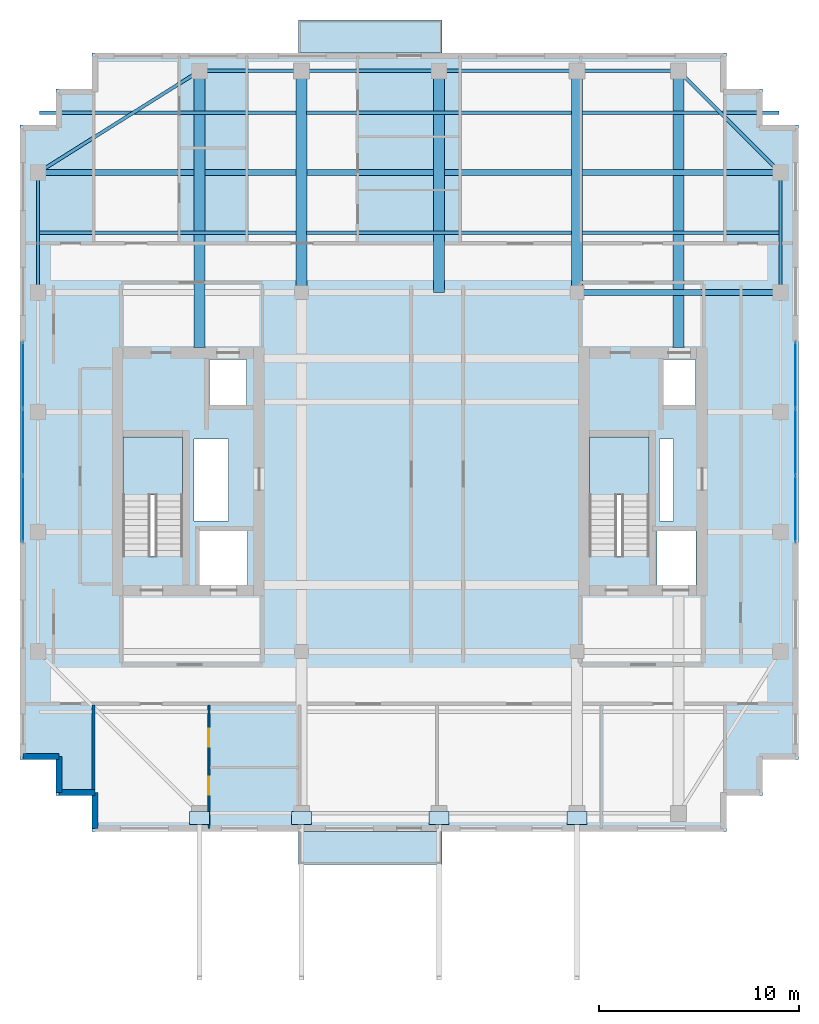
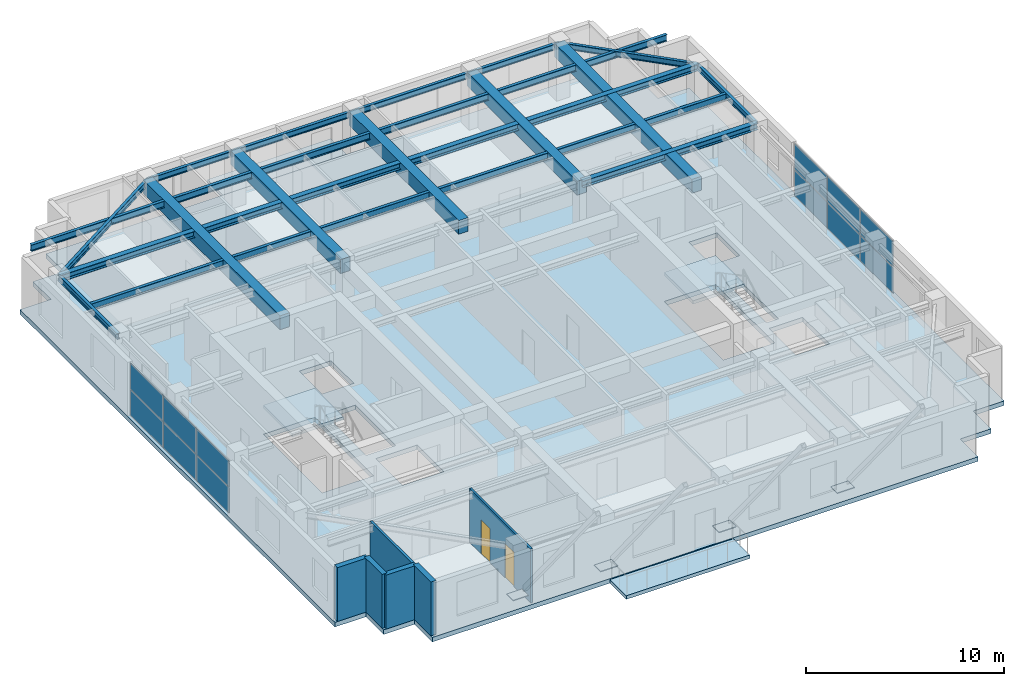
# One storey, part 7 of 14: 23 beams, 16 plates, 6 walls, 5 slabs, 2 doors, 2 openings, 4 elements without a shape of their own.
"""IFC4 building model written with IfcOpenShell, lengths in metres."""

import ifcopenshell
import ifcopenshell.guid

model = None  # the IFC model being written
_history = None  # IfcOwnerHistory: only IFC2X3 demands one
_inside = {}  # id of a spatial element -> (the spatial element, [elements in it])
_under = {}  # id of a project, library or spatial element -> (it, [spatial elements below it])
_declared = {}  # id of a project -> (the project, [libraries it declares])
_typed = {}  # id of a type object -> (the type object, [elements of that type])
_made_of = {}  # id of a material, layer set ... -> (it, [elements and type objects made of it])


def new_model(schema):
    """Start an empty IFC model of exactly this schema.

    Asked for "IFC4X3", IfcOpenShell would pick the latest addendum, in which some entities
    have other attributes; the version numbers below select the first issue.
    IFC2X3 requires an IfcOwnerHistory on every rooted entity: one is made here for all.
    """
    global model, _history
    if schema == "IFC4X3":
        model = ifcopenshell.file(schema_version=(4, 3, 0, 0))
    else:
        model = ifcopenshell.file(schema=schema)
    _inside.clear()
    _under.clear()
    _declared.clear()
    _typed.clear()
    _made_of.clear()
    _history = None
    if model.schema == "IFC2X3":
        org = make("IfcOrganization", Name="unknown")
        user = make(
            "IfcPersonAndOrganization",
            ThePerson=make("IfcPerson", FamilyName="unknown"),
            TheOrganization=org,
        )
        app = make(
            "IfcApplication",
            ApplicationDeveloper=org,
            Version="unknown",
            ApplicationFullName="unknown",
            ApplicationIdentifier="unknown",
        )
        _history = make(
            "IfcOwnerHistory",
            OwningUser=user,
            OwningApplication=app,
            ChangeAction="ADDED",
            CreationDate=0,
        )
    return model


def make(cls, **values):
    """One entity of the class cls with the attributes given. An attribute that is None is left unset."""
    return model.create_entity(
        cls, **{name: value for name, value in values.items() if value is not None}
    )


def rooted(cls, **values):
    """An entity with a GlobalId (a new one), such as an element, a storey or a relation."""
    return make(cls, GlobalId=ifcopenshell.guid.new(), OwnerHistory=_history, **values)


def si_unit(unit_type, name, prefix=None):
    """IfcSIUnit, for example si_unit("LENGTHUNIT", "METRE", prefix="MILLI")."""
    return make("IfcSIUnit", UnitType=unit_type, Prefix=prefix, Name=name)


def assignment(units):
    """IfcUnitAssignment: the units of a project."""
    return None if units is None else make("IfcUnitAssignment", Units=units)


def point(xyz):
    """IfcCartesianPoint."""
    return None if xyz is None else make("IfcCartesianPoint", Coordinates=xyz)


def direction(xyz):
    """IfcDirection."""
    return None if xyz is None else make("IfcDirection", DirectionRatios=xyz)


def frame(location, z_axis=None, x_axis=None):
    """IfcAxis2Placement3D, a coordinate frame: its origin and axes. An axis left out is left unset."""
    return make(
        "IfcAxis2Placement3D",
        Location=point(location),
        Axis=direction(z_axis),
        RefDirection=direction(x_axis),
    )


def frame_2d(location, x_axis=None):
    """IfcAxis2Placement2D, a coordinate frame in the plane: its origin and x axis."""
    return make(
        "IfcAxis2Placement2D", Location=point(location), RefDirection=direction(x_axis)
    )


def origin():
    """The frame at (0, 0, 0) with its axes left unset."""
    return frame((0.0, 0.0, 0.0))


def origin_2d():
    """The frame at (0, 0) in the plane with its x axis left unset."""
    return frame_2d((0.0, 0.0))


def place(relative_to, where):
    """IfcLocalPlacement: puts the frame where relative to a parent placement (None: the world)."""
    return make(
        "IfcLocalPlacement", PlacementRelTo=relative_to, RelativePlacement=where
    )


def context(
    kind, dimensions, precision=None, world=None, true_north=None, identifier=None
):
    """IfcGeometricRepresentationContext, for example the 3D "Model" context."""
    return make(
        "IfcGeometricRepresentationContext",
        ContextIdentifier=identifier,
        ContextType=kind,
        CoordinateSpaceDimension=dimensions,
        Precision=precision,
        WorldCoordinateSystem=world,
        TrueNorth=true_north,
    )


def subcontext(parent, identifier, kind, view, scale=None):
    """IfcGeometricRepresentationSubContext, for example "Body" below "Model"."""
    return make(
        "IfcGeometricRepresentationSubContext",
        ContextIdentifier=identifier,
        ContextType=kind,
        ParentContext=parent,
        TargetScale=scale,
        TargetView=view,
    )


def project(units=None, contexts=None):
    """IfcProject with its units and contexts."""
    return rooted(
        "IfcProject",
        Name="project",
        RepresentationContexts=contexts,
        UnitsInContext=assignment(units),
    )


def spatial(cls, under=None, at=None, **own):
    """A site, building, storey or space (cls), placed at a placement, below another one or the project."""
    s = rooted(cls, ObjectPlacement=at, **own)
    if under is not None:
        _under.setdefault(under.id(), (under, []))[1].append(s)
    return s


def polyline(points):
    """IfcPolyline through the points."""
    return make("IfcPolyline", Points=[point(p) for p in points])


def profile(cls, at=None, kind="AREA", **sizes):
    """A parametric profile (cls). Its sizes go by their IFC names, for example OverallWidth=200.0."""
    return make(cls, ProfileType=kind, Position=at, **sizes)


def rectangle(**sizes):
    """IfcRectangleProfileDef."""
    return profile("IfcRectangleProfileDef", **sizes)


def i_section(**sizes):
    """IfcIShapeProfileDef."""
    return profile("IfcIShapeProfileDef", **sizes)


def outline(outer, holes=None, kind="AREA"):
    """IfcArbitraryClosedProfileDef: a profile drawn as a closed curve; with holes, ...WithVoids."""
    if holes is None:
        return make("IfcArbitraryClosedProfileDef", ProfileType=kind, OuterCurve=outer)
    return make(
        "IfcArbitraryProfileDefWithVoids",
        ProfileType=kind,
        OuterCurve=outer,
        InnerCurves=holes,
    )


def extrude(swept, where, along, depth):
    """IfcExtrudedAreaSolid: the profile swept, set in the frame where, extruded along a direction by depth."""
    return make(
        "IfcExtrudedAreaSolid",
        SweptArea=swept,
        Position=where,
        ExtrudedDirection=direction(along),
        Depth=depth,
    )


def shape(context_of_items, identifier, shape_type, items):
    """IfcShapeRepresentation: the items that make up one representation, for example the "Body"."""
    return make(
        "IfcShapeRepresentation",
        ContextOfItems=context_of_items,
        RepresentationIdentifier=identifier,
        RepresentationType=shape_type,
        Items=items,
    )


def source(mapping_origin, context_of_items, identifier, shape_type, items):
    """IfcRepresentationMap: a shape defined once, which mapped items show again and again."""
    return make(
        "IfcRepresentationMap",
        MappingOrigin=mapping_origin,
        MappedRepresentation=shape(context_of_items, identifier, shape_type, items),
    )


def transform(
    local_origin,
    x_axis=None,
    y_axis=None,
    z_axis=None,
    scale=None,
    scale2=None,
    scale3=None,
    uniform=True,
):
    """IfcCartesianTransformationOperator3D, or its non-uniform kind. x_axis, y_axis, z_axis: its Axis1, 2, 3."""
    if uniform:
        return make(
            "IfcCartesianTransformationOperator3D",
            Axis1=direction(x_axis),
            Axis2=direction(y_axis),
            LocalOrigin=point(local_origin),
            Scale=scale,
            Axis3=direction(z_axis),
        )
    return make(
        "IfcCartesianTransformationOperator3DnonUniform",
        Axis1=direction(x_axis),
        Axis2=direction(y_axis),
        LocalOrigin=point(local_origin),
        Scale=scale,
        Axis3=direction(z_axis),
        Scale2=scale2,
        Scale3=scale3,
    )


def mapped(mapping_source, mapping_target):
    """IfcMappedItem: shows the shape of a source again, moved by a transform."""
    return make(
        "IfcMappedItem", MappingSource=mapping_source, MappingTarget=mapping_target
    )


def material(Name=None, Category=None):
    """IfcMaterial."""
    return make("IfcMaterial", Name=Name, Category=Category)


def layer(
    of_material, thickness, ventilated=None, Name=None, Category=None, Priority=None
):
    """IfcMaterialLayer: one layer of a wall or slab, of a material (None: an air gap)."""
    return make(
        "IfcMaterialLayer",
        Material=of_material,
        LayerThickness=thickness,
        IsVentilated=ventilated,
        Name=Name,
        Category=Category,
        Priority=Priority,
    )


def layer_set(layers, Name=None):
    """IfcMaterialLayerSet."""
    return make("IfcMaterialLayerSet", MaterialLayers=layers, LayerSetName=Name)


def material_profile(
    of_material, cross_section, Name=None, Category=None, Priority=None
):
    """IfcMaterialProfile: a cross section and its material."""
    return make(
        "IfcMaterialProfile",
        Name=Name,
        Material=of_material,
        Profile=cross_section,
        Priority=Priority,
        Category=Category,
    )


def profile_set(profiles, Name=None, composite=None):
    """IfcMaterialProfileSet."""
    return make(
        "IfcMaterialProfileSet",
        Name=Name,
        MaterialProfiles=profiles,
        CompositeProfile=composite,
    )


def made_of(thing, what):
    """Note that an element or type object is made of a material, layer set ...; save() writes the relation."""
    if what is not None:
        _made_of.setdefault(what.id(), (what, []))[1].append(thing)
    return thing


def type_object(cls, material=None, **own):
    """A type object (cls), such as IfcWallType, which elements share."""
    return made_of(rooted(cls, **own), material)


def element(
    cls,
    number,
    at=None,
    inside=None,
    cuts=None,
    type_object=None,
    material=None,
    context=None,
    identifier="Body",
    shape_type=None,
    held_by="IfcProductDefinitionShape",
    body=None,
    shapes=None,
    **own,
):
    """One element of the class cls, such as IfcWall. Its Tag is "e" and its number.

    at: its placement. inside: the storey or other place that contains it. cuts: it is an
    opening in that element (IfcRelVoidsElement). A single representation is given by context,
    identifier, shape_type and body (its items); several are given by shapes. held_by: the class
    of the entity that holds the representations. save() writes the other relations.
    """
    e = rooted(cls, Tag="e%d" % number, ObjectPlacement=at, **own)
    if body is not None:
        shapes = [shape(context, identifier, shape_type, body)]
    if shapes is not None:
        e.Representation = make(held_by, Representations=shapes)
    if inside is not None:
        _inside.setdefault(inside.id(), (inside, []))[1].append(e)
    if cuts is not None:
        rooted(
            "IfcRelVoidsElement", RelatingBuildingElement=cuts, RelatedOpeningElement=e
        )
    if type_object is not None:
        _typed.setdefault(type_object.id(), (type_object, []))[1].append(e)
    return made_of(e, material)


def fill(opening, filler):
    """IfcRelFillsElement: the door or window that sits in an opening."""
    return rooted(
        "IfcRelFillsElement",
        RelatingOpeningElement=opening,
        RelatedBuildingElement=filler,
    )


def aggregate(whole, parts):
    """IfcRelAggregates: a whole, such as a stair, and the parts it consists of."""
    return rooted("IfcRelAggregates", RelatingObject=whole, RelatedObjects=parts)


def save(model, path):
    """Write the relations noted so far, then the file.

    IfcRelAggregates (storeys below a building ...), IfcRelContainedInSpatialStructure (elements
    in a storey), IfcRelDefinesByType, IfcRelAssociatesMaterial and IfcRelDeclares: one each for
    every whole, place, type object, material and project.
    """
    for whole, parts in _under.values():
        aggregate(whole, parts)
    for where, things in _inside.values():
        rooted(
            "IfcRelContainedInSpatialStructure",
            RelatedElements=things,
            RelatingStructure=where,
        )
    for kind, things in _typed.values():
        rooted("IfcRelDefinesByType", RelatedObjects=things, RelatingType=kind)
    for what, things in _made_of.values():
        rooted("IfcRelAssociatesMaterial", RelatedObjects=things, RelatingMaterial=what)
    for by, libraries in _declared.values():
        rooted("IfcRelDeclares", RelatingContext=by, RelatedDefinitions=libraries)
    model.write(path)


model = new_model("IFC4")

# Units and contexts
model_context = context("Model", 3, precision=1e-05, world=origin(), true_north=direction((0.0, 1.0)))
body_context = subcontext(model_context, "Body", "Model", "MODEL_VIEW")
ifc_project = project(units=[si_unit("LENGTHUNIT", "METRE"), si_unit("AREAUNIT", "SQUARE_METRE"), si_unit("VOLUMEUNIT", "CUBIC_METRE"), si_unit("PLANEANGLEUNIT", "RADIAN"), si_unit("MASSUNIT", "GRAM", prefix="KILO")], contexts=[model_context])

# Site, building, storey
site_placement = place(None, origin())
site = spatial("IfcSite", under=ifc_project, at=site_placement, CompositionType="ELEMENT")
building_placement = place(site_placement, origin())
building = spatial("IfcBuilding", under=site, at=building_placement, Name="Khoralis Quay Care Tower", CompositionType="ELEMENT")
storey_placement = place(building_placement, frame((0.0, 0.0, 274.5)))
storey = spatial("IfcBuildingStorey", under=building, at=storey_placement, Name="L72", CompositionType="ELEMENT", Elevation=274.5)

# Beams
ifc_material_1 = material(Name="Steel S355", Category="steel")
ifc_material_profile_1 = material_profile(ifc_material_1, i_section(OverallWidth=0.169921875, OverallDepth=0.360107421875, WebThickness=0.008056640625, FlangeThickness=0.0126953125, FilletRadius=0.01806640625, at=origin_2d()), Name="Steel S355")
ifc_profile_set_1 = profile_set([ifc_material_profile_1], Name="Steel S355")
beam_type_1 = type_object("IfcBeamType", Name="BM-IPE360", PredefinedType="SPANDREL", material=ifc_profile_set_1)
shared_shape_1 = source(origin(), body_context, "Body", "SweptSolid", [
    extrude(i_section(OverallWidth=0.169921875, OverallDepth=0.360107421875, WebThickness=0.008056640625, FlangeThickness=0.0126953125, FilletRadius=0.01806640625, at=origin_2d()), origin(), (0.0, 0.0, 1.0), 5.10009765625),
])
for number, where, z_axis, x_axis, name in (
    (1, (12.0, 41.10009765625, 3.139892578125), (1.0, 0.0, 0.0), (0.0, 1.0, 0.0), "BM-TSP-L72-05"),
    (2, (30.89990234375, 41.10009765625, 3.139892578125), (1.0, 0.0, 0.0), (0.0, 1.0, 0.0), "BM-TSP-L72-08"),
):
    element("IfcBeam", number, at=place(storey_placement, frame(where, z_axis=z_axis, x_axis=x_axis)), inside=storey, type_object=beam_type_1, Name=name, PredefinedType="SPANDREL", context=body_context, shape_type="MappedRepresentation", body=[
        mapped(shared_shape_1, transform((0.0, 0.0, 0.0), scale=1.0)),
    ])
shared_shape_2 = source(origin(), body_context, "Body", "SweptSolid", [
    extrude(i_section(OverallWidth=0.169921875, OverallDepth=0.360107421875, WebThickness=0.008056640625, FlangeThickness=0.0126953125, FilletRadius=0.01806640625, at=origin_2d()), origin(), (0.0, 0.0, 1.0), 6.0),
])
for number, where, z_axis, x_axis, name in (
    (3, (3.89990234375, 30.0, 3.139892578125), (0.0, 1.0, 0.0), (-1.0, 0.0, 0.0), "BM-TSP-L72-12"),
    (4, (41.10009765625, 30.0, 3.139892578125), (0.0, 1.0, 0.0), (-1.0, 0.0, 0.0), "BM-TSP-L72-16"),
):
    element("IfcBeam", number, at=place(storey_placement, frame(where, z_axis=z_axis, x_axis=x_axis)), inside=storey, type_object=beam_type_1, Name=name, PredefinedType="SPANDREL", context=body_context, shape_type="MappedRepresentation", body=[
        mapped(shared_shape_2, transform((0.0, 0.0, 0.0), scale=1.0)),
    ])
shared_shape_3 = source(origin(), body_context, "Body", "SweptSolid", [
    extrude(i_section(OverallWidth=0.169921875, OverallDepth=0.360107421875, WebThickness=0.008056640625, FlangeThickness=0.0126953125, FilletRadius=0.01806640625, at=origin_2d()), origin(), (0.0, 0.0, 1.0), 9.572021484375),
])
beam_1_placement = place(storey_placement, frame((12.0, 41.10009765625, 3.139892578125), z_axis=(-0.846231136359, -0.532815975602, 0.0), x_axis=(0.532815975602, -0.846231136359, 0.0)))
element("IfcBeam", 5, at=beam_1_placement, inside=storey, type_object=beam_type_1, Name="BM-TCR-L72-19", PredefinedType="SPANDREL", context=body_context, shape_type="MappedRepresentation", body=[
    mapped(shared_shape_3, transform((0.0, 0.0, 0.0), scale=1.0)),
])
shared_shape_4 = source(origin(), body_context, "Body", "SweptSolid", [
    extrude(i_section(OverallWidth=0.169921875, OverallDepth=0.360107421875, WebThickness=0.008056640625, FlangeThickness=0.0126953125, FilletRadius=0.01806640625, at=origin_2d()), origin(), (0.0, 0.0, 1.0), 7.212646484375),
])
beam_2_placement = place(storey_placement, frame((36.0, 41.10009765625, 3.139892578125), z_axis=(0.707106781187, -0.707106781187, 0.0), x_axis=(0.707106781187, 0.707106781187, 0.0)))
element("IfcBeam", 6, at=beam_2_placement, inside=storey, type_object=beam_type_1, Name="BM-TCR-L72-20", PredefinedType="SPANDREL", context=body_context, shape_type="MappedRepresentation", body=[
    mapped(shared_shape_4, transform((0.0, 0.0, 0.0), scale=1.0)),
])
ifc_material_profile_2 = material_profile(ifc_material_1, i_section(OverallWidth=0.300048828125, OverallDepth=0.39990234375, WebThickness=0.013427734375, FlangeThickness=0.02392578125, FilletRadius=0.027099609375, at=origin_2d()), Name="Steel S355")
ifc_profile_set_2 = profile_set([ifc_material_profile_2], Name="Steel S355")
beam_type_2 = type_object("IfcBeamType", Name="BM-HEB400", PredefinedType="BEAM", material=ifc_profile_set_2)
shared_shape_5 = source(origin(), body_context, "Body", "SweptSolid", [
    extrude(i_section(OverallWidth=0.300048828125, OverallDepth=0.39990234375, WebThickness=0.013427734375, FlangeThickness=0.02392578125, FilletRadius=0.027099609375, at=origin_2d()), origin(), (0.0, 0.0, 1.0), 12.93701171875),
])
beam_3_placement = place(storey_placement, frame((3.89990234375, 36.0, 3.1201171875), z_axis=(1.0, 0.0, 0.0), x_axis=(0.0, 1.0, 0.0)))
element("IfcBeam", 7, at=beam_3_placement, inside=storey, type_object=beam_type_2, Name="BM-TGXW-L72-360", PredefinedType="BEAM", context=body_context, shape_type="MappedRepresentation", body=[
    mapped(shared_shape_5, transform((0.0, 0.0, 0.0), scale=1.0)),
])
shared_shape_6 = source(origin(), body_context, "Body", "SweptSolid", [
    extrude(i_section(OverallWidth=0.300048828125, OverallDepth=0.39990234375, WebThickness=0.013427734375, FlangeThickness=0.02392578125, FilletRadius=0.027099609375, at=origin_2d()), origin(), (0.0, 0.0, 1.0), 10.2001953125),
])
beam_4_placement = place(storey_placement, frame((30.89990234375, 30.0, 3.1201171875), z_axis=(1.0, 0.0, 0.0), x_axis=(0.0, 1.0, 0.0)))
element("IfcBeam", 8, at=beam_4_placement, inside=storey, type_object=beam_type_2, Name="BM-TGXE-L72-300", PredefinedType="BEAM", context=body_context, shape_type="MappedRepresentation", body=[
    mapped(shared_shape_6, transform((0.0, 0.0, 0.0), scale=1.0)),
])
shared_shape_7 = source(origin(), body_context, "Body", "SweptSolid", [
    extrude(i_section(OverallWidth=0.300048828125, OverallDepth=0.39990234375, WebThickness=0.013427734375, FlangeThickness=0.02392578125, FilletRadius=0.027099609375, at=origin_2d()), origin(), (0.0, 0.0, 1.0), 9.93701171875),
])
beam_5_placement = place(storey_placement, frame((31.1630859375, 36.0, 3.1201171875), z_axis=(1.0, 0.0, 0.0), x_axis=(0.0, 1.0, 0.0)))
element("IfcBeam", 9, at=beam_5_placement, inside=storey, type_object=beam_type_2, Name="BM-TGXE-L72-360", PredefinedType="BEAM", context=body_context, shape_type="MappedRepresentation", body=[
    mapped(shared_shape_7, transform((0.0, 0.0, 0.0), scale=1.0)),
])
ifc_material_2 = material(Name="Concrete C50/60", Category="concrete")
ifc_material_profile_3 = material_profile(ifc_material_2, rectangle(XDim=0.550048828125, YDim=0.85009765625, at=origin_2d()), Name="Concrete C50/60")
ifc_profile_set_3 = profile_set([ifc_material_profile_3], Name="Concrete C50/60")
beam_type_3 = type_object("IfcBeamType", Name="BM-RC550X850", PredefinedType="BEAM", material=ifc_profile_set_3)
shared_shape_8 = source(origin(), body_context, "Body", "SweptSolid", [
    extrude(rectangle(XDim=0.550048828125, YDim=0.85009765625, at=origin_2d()), origin(), (0.0, 0.0, 1.0), 13.85205078125),
])
for number, where, z_axis, x_axis, name in (
    (10, (12.0, 27.248046875, 2.89501953125), (0.0, 1.0, 0.0), (-1.0, 0.0, 0.0), "BM-TGYN-L72-120"),
    (11, (36.0, 27.248046875, 2.89501953125), (0.0, 1.0, 0.0), (-1.0, 0.0, 0.0), "BM-TGYN-L72-360"),
):
    element("IfcBeam", number, at=place(storey_placement, frame(where, z_axis=z_axis, x_axis=x_axis)), inside=storey, type_object=beam_type_3, Name=name, PredefinedType="BEAM", context=body_context, shape_type="MappedRepresentation", body=[
        mapped(shared_shape_8, transform((0.0, 0.0, 0.0), scale=1.0)),
    ])
shared_shape_9 = source(origin(), body_context, "Body", "SweptSolid", [
    extrude(rectangle(XDim=0.550048828125, YDim=0.85009765625, at=origin_2d()), origin(), (0.0, 0.0, 1.0), 11.10009765625),
])
for number, where, z_axis, x_axis, name in (
    (12, (17.10009765625, 30.0, 2.89501953125), (0.0, 1.0, 0.0), (-1.0, 0.0, 0.0), "BM-TGYN-L72-171"),
    (13, (24.0, 30.0, 2.89501953125), (0.0, 1.0, 0.0), (-1.0, 0.0, 0.0), "BM-TGYN-L72-240"),
    (14, (30.89990234375, 30.0, 2.89501953125), (0.0, 1.0, 0.0), (-1.0, 0.0, 0.0), "BM-TGYN-L72-309"),
):
    element("IfcBeam", number, at=place(storey_placement, frame(where, z_axis=z_axis, x_axis=x_axis)), inside=storey, type_object=beam_type_3, Name=name, PredefinedType="BEAM", context=body_context, shape_type="MappedRepresentation", body=[
        mapped(shared_shape_9, transform((0.0, 0.0, 0.0), scale=1.0)),
    ])
ifc_material_profile_4 = material_profile(ifc_material_1, i_section(OverallWidth=0.177978515625, OverallDepth=0.406982421875, WebThickness=0.0078125, FlangeThickness=0.0126953125, FilletRadius=0.012939453125, at=origin_2d()), Name="Steel S355")
ifc_profile_set_4 = profile_set([ifc_material_profile_4], Name="Steel S355")
beam_type_4 = type_object("IfcBeamType", Name="BM-W410X60", PredefinedType="JOIST", material=ifc_profile_set_4)
shared_shape_10 = source(origin(), body_context, "Body", "SweptSolid", [
    extrude(i_section(OverallWidth=0.177978515625, OverallDepth=0.406982421875, WebThickness=0.0078125, FlangeThickness=0.0126953125, FilletRadius=0.012939453125, at=origin_2d()), origin(), (0.0, 0.0, 1.0), 12.865966796875),
])
for number, where, z_axis, x_axis, name in (
    (15, (3.970947265625, 33.0, 3.116455078125), (1.0, 0.0, 0.0), (0.0, 1.0, 0.0), "BM-TJS-L72-24"),
    (16, (3.970947265625, 39.0, 3.116455078125), (1.0, 0.0, 0.0), (0.0, 1.0, 0.0), "BM-TJS-L72-27"),
):
    element("IfcBeam", number, at=place(storey_placement, frame(where, z_axis=z_axis, x_axis=x_axis)), inside=storey, type_object=beam_type_4, Name=name, PredefinedType="JOIST", context=body_context, shape_type="MappedRepresentation", body=[
        mapped(shared_shape_10, transform((0.0, 0.0, 0.0), scale=1.0)),
    ])
shared_shape_11 = source(origin(), body_context, "Body", "SweptSolid", [
    extrude(i_section(OverallWidth=0.177978515625, OverallDepth=0.406982421875, WebThickness=0.0078125, FlangeThickness=0.0126953125, FilletRadius=0.012939453125, at=origin_2d()), origin(), (0.0, 0.0, 1.0), 9.865966796875),
])
for number, where, z_axis, x_axis, name in (
    (17, (31.1630859375, 33.0, 3.116455078125), (1.0, 0.0, 0.0), (0.0, 1.0, 0.0), "BM-TJS-L72-25"),
    (18, (31.1630859375, 39.0, 3.116455078125), (1.0, 0.0, 0.0), (0.0, 1.0, 0.0), "BM-TJS-L72-28"),
):
    element("IfcBeam", number, at=place(storey_placement, frame(where, z_axis=z_axis, x_axis=x_axis)), inside=storey, type_object=beam_type_4, Name=name, PredefinedType="JOIST", context=body_context, shape_type="MappedRepresentation", body=[
        mapped(shared_shape_11, transform((0.0, 0.0, 0.0), scale=1.0)),
    ])
shared_shape_12 = source(origin(), body_context, "Body", "SweptSolid", [
    extrude(i_section(OverallWidth=0.169921875, OverallDepth=0.360107421875, WebThickness=0.008056640625, FlangeThickness=0.0126953125, FilletRadius=0.01806640625, at=origin_2d()), origin(), (0.0, 0.0, 1.0), 6.89990234375),
])
for number, where, z_axis, x_axis, name in (
    (19, (17.10009765625, 41.10009765625, 3.139892578125), (1.0, 0.0, 0.0), (0.0, 1.0, 0.0), "BM-TSP-L72-06"),
    (20, (24.0, 41.10009765625, 3.139892578125), (1.0, 0.0, 0.0), (0.0, 1.0, 0.0), "BM-TSP-L72-07"),
):
    element("IfcBeam", number, at=place(storey_placement, frame(where, z_axis=z_axis, x_axis=x_axis)), inside=storey, type_object=beam_type_1, Name=name, PredefinedType="SPANDREL", context=body_context, shape_type="MappedRepresentation", body=[
        mapped(shared_shape_12, transform((0.0, 0.0, 0.0), scale=1.0)),
    ])
shared_shape_13 = source(origin(), body_context, "Body", "SweptSolid", [
    extrude(i_section(OverallWidth=0.300048828125, OverallDepth=0.39990234375, WebThickness=0.013427734375, FlangeThickness=0.02392578125, FilletRadius=0.027099609375, at=origin_2d()), origin(), (0.0, 0.0, 1.0), 13.27392578125),
])
beam_6_placement = place(storey_placement, frame((17.363037109375, 36.0, 3.1201171875), z_axis=(1.0, 0.0, 0.0), x_axis=(0.0, 1.0, 0.0)))
element("IfcBeam", 21, at=beam_6_placement, inside=storey, type_object=beam_type_2, Name="BM-TGCC-L72-360", PredefinedType="BEAM", context=body_context, shape_type="MappedRepresentation", body=[
    mapped(shared_shape_13, transform((0.0, 0.0, 0.0), scale=1.0)),
])
shared_shape_14 = source(origin(), body_context, "Body", "SweptSolid", [
    extrude(i_section(OverallWidth=0.177978515625, OverallDepth=0.406982421875, WebThickness=0.0078125, FlangeThickness=0.0126953125, FilletRadius=0.012939453125, at=origin_2d()), origin(), (0.0, 0.0, 1.0), 13.27392578125),
])
for number, where, z_axis, x_axis, name in (
    (22, (17.363037109375, 33.0, 3.116455078125), (1.0, 0.0, 0.0), (0.0, 1.0, 0.0), "BM-TJS-L72-26"),
    (23, (17.363037109375, 39.0, 3.116455078125), (1.0, 0.0, 0.0), (0.0, 1.0, 0.0), "BM-TJS-L72-29"),
):
    element("IfcBeam", number, at=place(storey_placement, frame(where, z_axis=z_axis, x_axis=x_axis)), inside=storey, type_object=beam_type_4, Name=name, PredefinedType="JOIST", context=body_context, shape_type="MappedRepresentation", body=[
        mapped(shared_shape_14, transform((0.0, 0.0, 0.0), scale=1.0)),
    ])

# Slabs
ifc_material_3 = material(Name="Concrete C45/55", Category="concrete")
ifc_layer_1 = layer(ifc_material_3, 0.219970703125)
ifc_layer_set_1 = layer_set([ifc_layer_1], Name="Concrete C45/55")
slab_type_1 = type_object("IfcSlabType", Name="SLB-EXT-BALC-220", PredefinedType="FLOOR", material=ifc_layer_set_1)
slab_1_placement = place(storey_placement, frame((0.0, 0.0, -0.280029296875)))
element("IfcSlab", 24, at=slab_1_placement, inside=storey, type_object=slab_type_1, Name="L72 Senior Loggia Balcony Slab P1E0", PredefinedType="FLOOR", context=body_context, shape_type="SweptSolid", body=[
    extrude(outline(polyline([(16.949951171875, 1.35009765625), (24.14990234375, 1.35009765625), (24.14990234375, 3.0), (16.949951171875, 3.0), (16.949951171875, 1.35009765625)])), origin(), (0.0, 0.0, 1.0), 0.219970703125),
])
slab_2_placement = place(storey_placement, frame((0.0, 0.0, -0.280029296875)))
element("IfcSlab", 25, at=slab_2_placement, inside=storey, type_object=slab_type_1, Name="L72 Senior Loggia Balcony Slab P1E10", PredefinedType="FLOOR", context=body_context, shape_type="SweptSolid", body=[
    extrude(outline(polyline([(16.949951171875, 42.0), (24.14990234375, 42.0), (24.14990234375, 43.64990234375), (16.949951171875, 43.64990234375), (16.949951171875, 42.0)])), origin(), (0.0, 0.0, 1.0), 0.219970703125),
])

# Stair, slab
ifc_material_4 = material(Name="Precast concrete C45/55", Category="concrete")
stair_type = type_object("IfcStairType", Name="ST-TWR-DOGLEG-1400", PredefinedType="HALF_TURN_STAIR", material=ifc_material_4)
stair_1_placement = place(storey_placement, origin())
stair_1 = element("IfcStair", 26, at=stair_1_placement, inside=storey, type_object=stair_type, Name="L72 West Core Exit Stair ST-T1", PredefinedType="HALF_TURN_STAIR")
ifc_layer_2 = layer(ifc_material_4, 0.199951171875)
ifc_layer_set_2 = layer_set([ifc_layer_2], Name="Precast concrete C45/55")
slab_type_2 = type_object("IfcSlabType", Name="SLB-LANDING-200", PredefinedType="LANDING", material=ifc_layer_set_2)
slab_3_placement = place(storey_placement, frame((0.0, 0.0, 1.60009765625)))
slab_3 = element("IfcSlab", 27, at=slab_3_placement, type_object=slab_type_2, Name="ST-T1 landing 1", PredefinedType="LANDING", context=body_context, shape_type="SweptSolid", body=[
    extrude(outline(polyline([(11.14990234375, 19.840087890625), (11.14990234375, 22.75), (8.14990234375, 22.75), (8.14990234375, 19.840087890625), (11.14990234375, 19.840087890625)])), origin(), (0.0, 0.0, 1.0), 0.199951171875),
])
aggregate(stair_1, [slab_3])

stair_2_placement = place(storey_placement, origin())
stair_2 = element("IfcStair", 28, at=stair_2_placement, inside=storey, type_object=stair_type, Name="L72 East Core Exit Stair ST-T2", PredefinedType="HALF_TURN_STAIR")
slab_4_placement = place(storey_placement, frame((0.0, 0.0, 1.60009765625)))
slab_4 = element("IfcSlab", 29, at=slab_4_placement, type_object=slab_type_2, Name="ST-T2 landing 1", PredefinedType="LANDING", context=body_context, shape_type="SweptSolid", body=[
    extrude(outline(polyline([(34.52001953125, 19.840087890625), (34.52001953125, 22.75), (31.52001953125, 22.75), (31.52001953125, 19.840087890625), (34.52001953125, 19.840087890625)])), origin(), (0.0, 0.0, 1.0), 0.199951171875),
])
aggregate(stair_2, [slab_4])

# Slab
ifc_material_5 = material(Name="Concrete C40/50", Category="concrete")
ifc_layer_3 = layer(ifc_material_5, 0.280029296875)
ifc_layer_set_3 = layer_set([ifc_layer_3], Name="Concrete C40/50")
slab_type_3 = type_object("IfcSlabType", Name="SLB-TWR-280", PredefinedType="FLOOR", material=ifc_layer_set_3)
slab_5_placement = place(storey_placement, frame((0.0, 0.0, -0.280029296875)))
element("IfcSlab", 30, at=slab_5_placement, inside=storey, type_object=slab_type_3, Name="Tower Floor Slab L72", PredefinedType="FLOOR", context=body_context, shape_type="SweptSolid", body=[
    extrude(outline(polyline([(6.60009765625, 3.0), (38.39990234375, 3.0), (38.39990234375, 4.800048828125), (40.199951171875, 4.800048828125), (40.199951171875, 6.60009765625), (42.0, 6.60009765625), (42.0, 38.39990234375), (40.199951171875, 38.39990234375), (40.199951171875, 40.199951171875), (38.39990234375, 40.199951171875), (38.39990234375, 42.0), (6.60009765625, 42.0), (6.60009765625, 40.199951171875), (4.800048828125, 40.199951171875), (4.800048828125, 38.39990234375), (3.0, 38.39990234375), (3.0, 6.60009765625), (4.800048828125, 6.60009765625), (4.800048828125, 4.800048828125), (6.60009765625, 4.800048828125), (6.60009765625, 3.0)]), holes=[polyline([(11.14990234375, 16.800048828125), (11.14990234375, 22.75), (8.14990234375, 22.75), (8.14990234375, 16.800048828125), (11.14990234375, 16.800048828125)]), polyline([(34.52001953125, 16.800048828125), (34.52001953125, 22.75), (31.52001953125, 22.75), (31.52001953125, 16.800048828125), (34.52001953125, 16.800048828125)]), polyline([(12.0, 15.35009765625), (14.39990234375, 15.35009765625), (14.39990234375, 18.050048828125), (12.0, 18.050048828125), (12.0, 15.35009765625)]), polyline([(34.919921875, 15.35009765625), (36.8798828125, 15.35009765625), (36.8798828125, 18.050048828125), (34.919921875, 18.050048828125), (34.919921875, 15.35009765625)]), polyline([(12.5, 24.35009765625), (14.35009765625, 24.35009765625), (14.35009765625, 26.64990234375), (12.5, 26.64990234375), (12.5, 24.35009765625)]), polyline([(35.199951171875, 24.35009765625), (36.85009765625, 24.35009765625), (36.85009765625, 26.64990234375), (35.199951171875, 26.64990234375), (35.199951171875, 24.35009765625)]), polyline([(11.719970703125, 18.550048828125), (13.449951171875, 18.550048828125), (13.449951171875, 22.64990234375), (11.719970703125, 22.64990234375), (11.719970703125, 18.550048828125)]), polyline([(35.050048828125, 18.550048828125), (35.75, 18.550048828125), (35.75, 22.64990234375), (35.050048828125, 22.64990234375), (35.050048828125, 18.550048828125)])]), origin(), (0.0, 0.0, 1.0), 0.280029296875),
])

# Plates
ifc_material_6 = material(Name="Steel S460", Category="steel")
ifc_layer_4 = layer(ifc_material_6, 0.031982421875)
ifc_layer_set_4 = layer_set([ifc_layer_4], Name="Steel S460")
plate_type_1 = type_object("IfcPlateType", Name="PLT-NODE-VPN1", PredefinedType="USERDEFINED", material=ifc_layer_set_4)
shared_shape_15 = source(origin(), body_context, "Body", "SweptSolid", [
    extrude(rectangle(XDim=1.0, YDim=0.64990234375, at=origin_2d()), origin(), (0.0, 0.0, 1.0), 0.031982421875),
])
for number, where, z_axis, x_axis, name in (
    (31, (12.0, 3.659912109375, 0.333984375), (0.0, 0.0, 1.0), (1.0, 0.0, 0.0), "PLT-SPND-1-36-2748"),
    (32, (17.10009765625, 3.659912109375, 0.333984375), (0.0, 0.0, 1.0), (1.0, 0.0, 0.0), "PLT-SPND-2-36-2748"),
    (33, (24.0, 3.659912109375, 0.333984375), (0.0, 0.0, 1.0), (1.0, 0.0, 0.0), "PLT-SPND-3-36-2748"),
    (34, (30.89990234375, 3.659912109375, 0.333984375), (0.0, 0.0, 1.0), (1.0, 0.0, 0.0), "PLT-SPND-4-36-2748"),
):
    element("IfcPlate", number, at=place(storey_placement, frame(where, z_axis=z_axis, x_axis=x_axis)), inside=storey, type_object=plate_type_1, Name=name, ObjectType="GUSSET_PLATE", PredefinedType="USERDEFINED", context=body_context, shape_type="MappedRepresentation", body=[
        mapped(shared_shape_15, transform((0.0, 0.0, 0.0), scale=1.0)),
    ])

# Curtain wall, plates
ifc_material_7 = material(Name="Pale anodised aluminium", Category="aluminium")
ifc_layer_5 = layer(ifc_material_7, 0.159912109375)
ifc_layer_set_5 = layer_set([ifc_layer_5], Name="Pale anodised aluminium")
curtain_wall_type = type_object("IfcCurtainWallType", Name="CW-SYS-Z3", PredefinedType="NOTDEFINED", material=ifc_layer_set_5)
curtain_wall_1_placement = place(storey_placement, origin())
curtain_wall_1 = element("IfcCurtainWall", 35, at=curtain_wall_1_placement, inside=storey, type_object=curtain_wall_type, Name="L72 Unitised Curtain Wall CW-L72-P1-E5", PredefinedType="NOTDEFINED")
ifc_material_8 = material(Name="Low-E solar-control double glazing", Category="glass")
ifc_layer_6 = layer(ifc_material_8, 0.031982421875)
ifc_layer_set_6 = layer_set([ifc_layer_6], Name="Low-E solar-control double glazing")
plate_type_2 = type_object("IfcPlateType", Name="PNL-VIS-32", PredefinedType="CURTAIN_PANEL", material=ifc_layer_set_6)
shared_shape_16 = source(origin(), body_context, "Body", "SweptSolid", [
    extrude(rectangle(XDim=3.27001953125, YDim=0.028076171875, at=origin_2d()), origin(), (0.0, 0.0, 1.0), 1.570068359375),
])
plate_1_placement = place(storey_placement, frame((41.85009765625, 19.155029296875, 0.06005859375), z_axis=(0.0, 0.0, 1.0), x_axis=(0.0, 1.0, 0.0)))
plate_1 = element("IfcPlate", 36, at=plate_1_placement, type_object=plate_type_2, Name="CW3 panel 1.1", PredefinedType="CURTAIN_PANEL", context=body_context, shape_type="MappedRepresentation", body=[
    mapped(shared_shape_16, transform((0.0, 0.0, 0.0), scale=1.0)),
])
plate_2_placement = place(storey_placement, frame((41.85009765625, 19.155029296875, 1.68994140625), z_axis=(0.0, 0.0, 1.0), x_axis=(0.0, 1.0, 0.0)))
plate_2 = element("IfcPlate", 37, at=plate_2_placement, type_object=plate_type_2, Name="CW3 panel 1.2", PredefinedType="CURTAIN_PANEL", context=body_context, shape_type="MappedRepresentation", body=[
    mapped(shared_shape_16, transform((0.0, 0.0, 0.0), scale=1.0)),
])
plate_3_placement = place(storey_placement, frame((41.85009765625, 25.844970703125, 0.06005859375), z_axis=(0.0, 0.0, 1.0), x_axis=(0.0, 1.0, 0.0)))
plate_3 = element("IfcPlate", 38, at=plate_3_placement, type_object=plate_type_2, Name="CW3 panel 3.1", PredefinedType="CURTAIN_PANEL", context=body_context, shape_type="MappedRepresentation", body=[
    mapped(shared_shape_16, transform((0.0, 0.0, 0.0), scale=1.0)),
])
plate_4_placement = place(storey_placement, frame((41.85009765625, 25.844970703125, 1.68994140625), z_axis=(0.0, 0.0, 1.0), x_axis=(0.0, 1.0, 0.0)))
plate_4 = element("IfcPlate", 39, at=plate_4_placement, type_object=plate_type_2, Name="CW3 panel 3.2", PredefinedType="CURTAIN_PANEL", context=body_context, shape_type="MappedRepresentation", body=[
    mapped(shared_shape_16, transform((0.0, 0.0, 0.0), scale=1.0)),
])

curtain_wall_2_placement = place(storey_placement, origin())
curtain_wall_2 = element("IfcCurtainWall", 40, at=curtain_wall_2_placement, inside=storey, type_object=curtain_wall_type, Name="L72 Unitised Curtain Wall CW-L72-P1-E15", PredefinedType="NOTDEFINED")
plate_5_placement = place(storey_placement, frame((3.14990234375, 25.844970703125, 0.06005859375), z_axis=(0.0, 0.0, 1.0), x_axis=(0.0, -1.0, 0.0)))
plate_5 = element("IfcPlate", 41, at=plate_5_placement, type_object=plate_type_2, Name="CW3 panel 1.1", PredefinedType="CURTAIN_PANEL", context=body_context, shape_type="MappedRepresentation", body=[
    mapped(shared_shape_16, transform((0.0, 0.0, 0.0), scale=1.0)),
])
plate_6_placement = place(storey_placement, frame((3.14990234375, 25.844970703125, 1.68994140625), z_axis=(0.0, 0.0, 1.0), x_axis=(0.0, -1.0, 0.0)))
plate_6 = element("IfcPlate", 42, at=plate_6_placement, type_object=plate_type_2, Name="CW3 panel 1.2", PredefinedType="CURTAIN_PANEL", context=body_context, shape_type="MappedRepresentation", body=[
    mapped(shared_shape_16, transform((0.0, 0.0, 0.0), scale=1.0)),
])
plate_7_placement = place(storey_placement, frame((3.14990234375, 19.155029296875, 0.06005859375), z_axis=(0.0, 0.0, 1.0), x_axis=(0.0, -1.0, 0.0)))
plate_7 = element("IfcPlate", 43, at=plate_7_placement, type_object=plate_type_2, Name="CW3 panel 3.1", PredefinedType="CURTAIN_PANEL", context=body_context, shape_type="MappedRepresentation", body=[
    mapped(shared_shape_16, transform((0.0, 0.0, 0.0), scale=1.0)),
])
plate_8_placement = place(storey_placement, frame((3.14990234375, 19.155029296875, 1.68994140625), z_axis=(0.0, 0.0, 1.0), x_axis=(0.0, -1.0, 0.0)))
plate_8 = element("IfcPlate", 44, at=plate_8_placement, type_object=plate_type_2, Name="CW3 panel 3.2", PredefinedType="CURTAIN_PANEL", context=body_context, shape_type="MappedRepresentation", body=[
    mapped(shared_shape_16, transform((0.0, 0.0, 0.0), scale=1.0)),
])

# Plate
shared_shape_17 = source(origin(), body_context, "Body", "SweptSolid", [
    extrude(rectangle(XDim=3.300048828125, YDim=0.028076171875, at=origin_2d()), origin(), (0.0, 0.0, 1.0), 1.570068359375),
])
plate_9_placement = place(storey_placement, frame((41.85009765625, 22.5, 0.06005859375), z_axis=(0.0, 0.0, 1.0), x_axis=(0.0, 1.0, 0.0)))
plate_9 = element("IfcPlate", 45, at=plate_9_placement, type_object=plate_type_2, Name="CW3 panel 2.1", PredefinedType="CURTAIN_PANEL", context=body_context, shape_type="MappedRepresentation", body=[
    mapped(shared_shape_17, transform((0.0, 0.0, 0.0), scale=1.0)),
])

plate_10_placement = place(storey_placement, frame((41.85009765625, 22.5, 1.68994140625), z_axis=(0.0, 0.0, 1.0), x_axis=(0.0, 1.0, 0.0)))
plate_10 = element("IfcPlate", 46, at=plate_10_placement, type_object=plate_type_2, Name="CW3 panel 2.2", PredefinedType="CURTAIN_PANEL", context=body_context, shape_type="MappedRepresentation", body=[
    mapped(shared_shape_17, transform((0.0, 0.0, 0.0), scale=1.0)),
])

aggregate(curtain_wall_1, [plate_1, plate_2, plate_9, plate_10, plate_3, plate_4])

plate_11_placement = place(storey_placement, frame((3.14990234375, 22.5, 0.06005859375), z_axis=(0.0, 0.0, 1.0), x_axis=(0.0, -1.0, 0.0)))
plate_11 = element("IfcPlate", 47, at=plate_11_placement, type_object=plate_type_2, Name="CW3 panel 2.1", PredefinedType="CURTAIN_PANEL", context=body_context, shape_type="MappedRepresentation", body=[
    mapped(shared_shape_17, transform((0.0, 0.0, 0.0), scale=1.0)),
])

plate_12_placement = place(storey_placement, frame((3.14990234375, 22.5, 1.68994140625), z_axis=(0.0, 0.0, 1.0), x_axis=(0.0, -1.0, 0.0)))
plate_12 = element("IfcPlate", 48, at=plate_12_placement, type_object=plate_type_2, Name="CW3 panel 2.2", PredefinedType="CURTAIN_PANEL", context=body_context, shape_type="MappedRepresentation", body=[
    mapped(shared_shape_17, transform((0.0, 0.0, 0.0), scale=1.0)),
])

aggregate(curtain_wall_2, [plate_5, plate_6, plate_11, plate_12, plate_7, plate_8])

# Walls
ifc_layer_7 = layer(ifc_material_4, 0.300048828125)
ifc_layer_set_7 = layer_set([ifc_layer_7], Name="Precast concrete C45/55")
wall_type_1 = type_object("IfcWallType", Name="WL-EXT-REF-300", PredefinedType="SOLIDWALL", material=ifc_layer_set_7)
for number, where, z_axis, x_axis, name in (
    (49, (3.14990234375, 6.75, 0.0), (0.0, 0.0, 1.0), (1.0, 0.0, 0.0), "L72 External Facade Wall WL-EXT-L72-P1-C16"),
    (50, (4.949951171875, 6.75, 0.0), (0.0, 0.0, 1.0), (0.0, -1.0, 0.0), "L72 External Facade Wall WL-EXT-L72-P1-C17"),
    (51, (4.949951171875, 4.949951171875, 0.0), (0.0, 0.0, 1.0), (1.0, 0.0, 0.0), "L72 External Facade Wall WL-EXT-L72-P1-C18"),
    (52, (6.75, 4.949951171875, 0.0), (0.0, 0.0, 1.0), (0.0, -1.0, 0.0), "L72 External Facade Wall WL-EXT-L72-P1-C19"),
):
    element("IfcWall", number, at=place(storey_placement, frame(where, z_axis=z_axis, x_axis=x_axis)), inside=storey, type_object=wall_type_1, Name=name, PredefinedType="SOLIDWALL", context=body_context, shape_type="SweptSolid", body=[
        extrude(rectangle(XDim=1.800048828125, YDim=0.300048828125, at=frame_2d((0.89990234375, 0.0))), origin(), (0.0, 0.0, 1.0), 3.320068359375),
    ])

# Wall, openings, doors
ifc_material_9 = material(Name="Gypsum plasterboard on acoustic metal stud")
ifc_layer_8 = layer(ifc_material_9, 0.114990234375)
ifc_layer_set_8 = layer_set([ifc_layer_8], Name="Gypsum plasterboard on acoustic metal stud")
wall_type_2 = type_object("IfcWallType", Name="WL-PART-115", PredefinedType="PARTITIONING", material=ifc_layer_set_8)
wall_1_placement = place(storey_placement, frame((12.465087890625, 3.14501953125, 0.0), z_axis=(0.0, 0.0, 1.0), x_axis=(0.0, 1.0, 0.0)))
wall_1 = element("IfcWall", 53, at=wall_1_placement, inside=storey, type_object=wall_type_2, Name="L72 Studio 0 Internal Wall", PredefinedType="PARTITIONING", context=body_context, shape_type="SweptSolid", body=[
    extrude(rectangle(XDim=6.177490234375, YDim=0.114990234375, at=frame_2d((3.0888671875, 0.0))), origin(), (0.0, 0.0, 1.0), 3.320068359375),
])
opening_1_placement = place(wall_1_placement, frame((1.679931640625, 0.0, 0.0)))
opening_1 = element("IfcOpeningElement", 54, at=opening_1_placement, cuts=wall_1, Name="Opening WD1", PredefinedType="OPENING", context=body_context, shape_type="SweptSolid", body=[
    extrude(rectangle(XDim=0.89990234375, YDim=2.10009765625, at=frame_2d((0.449951171875, 1.050048828125))), frame((0.0, 0.0673828125, 0.0), z_axis=(0.0, -1.0, 0.0), x_axis=(1.0, 0.0, 0.0)), (0.0, 0.0, 1.0), 0.135009765625),
])
opening_2_placement = place(wall_1_placement, frame((4.090087890625, 0.0, 0.0)))
opening_2 = element("IfcOpeningElement", 55, at=opening_2_placement, cuts=wall_1, Name="Opening WD1", PredefinedType="OPENING", context=body_context, shape_type="SweptSolid", body=[
    extrude(rectangle(XDim=0.89990234375, YDim=2.10009765625, at=frame_2d((0.449951171875, 1.050048828125))), frame((0.0, 0.0673828125, 0.0), z_axis=(0.0, -1.0, 0.0), x_axis=(1.0, 0.0, 0.0)), (0.0, 0.0, 1.0), 0.135009765625),
])
ifc_material_10 = material(Name="Acoustic hardwood timber", Category="wood")
door_type = type_object("IfcDoorType", Name="DR-BATH-900X2100", OperationType="NOTDEFINED", PredefinedType="DOOR", material=ifc_material_10)
shared_shape_18 = source(origin(), body_context, "Body", "SweptSolid", [
    extrude(rectangle(XDim=0.89990234375, YDim=2.10009765625, at=frame_2d((0.449951171875, 1.050048828125))), frame((0.0, 0.02490234375, 0.0), z_axis=(0.0, -1.0, 0.0), x_axis=(1.0, 0.0, 0.0)), (0.0, 0.0, 1.0), 0.050048828125),
])
door_1_placement = place(opening_1_placement, frame((0.89990234375, 0.0, 0.0), z_axis=(0.0, 0.0, 1.0), x_axis=(-1.0, 0.0, 0.0)))
door_1 = element("IfcDoor", 56, at=door_1_placement, inside=storey, type_object=door_type, Name="L72 Studio SKT Door", OperationType="SINGLE_SWING_LEFT", OverallHeight=2.10009765625, OverallWidth=0.89990234375, PredefinedType="DOOR", context=body_context, shape_type="MappedRepresentation", body=[
    mapped(shared_shape_18, transform((0.0, 0.0, 0.0), scale=1.0)),
])
fill(opening_1, door_1)
door_2_placement = place(opening_2_placement, frame((0.89990234375, 0.0, 0.0), z_axis=(0.0, 0.0, 1.0), x_axis=(-1.0, 0.0, 0.0)))
door_2 = element("IfcDoor", 57, at=door_2_placement, inside=storey, type_object=door_type, Name="L72 Studio SBH Door", OperationType="SINGLE_SWING_RIGHT", OverallHeight=2.10009765625, OverallWidth=0.89990234375, PredefinedType="DOOR", context=body_context, shape_type="MappedRepresentation", body=[
    mapped(shared_shape_18, transform((0.0, 0.0, 0.0), scale=1.0)),
])
fill(opening_2, door_2)

# Wall
ifc_layer_9 = layer(ifc_material_9, 0.139892578125)
ifc_layer_set_9 = layer_set([ifc_layer_9], Name="Gypsum plasterboard on acoustic metal stud")
wall_type_3 = type_object("IfcWallType", Name="WL-UNIT-140", PredefinedType="PARTITIONING", material=ifc_layer_set_9)
wall_2_placement = place(storey_placement, frame((6.679931640625, 4.945068359375, 0.0), z_axis=(0.0, 0.0, 1.0), x_axis=(0.0, 1.0, 0.0)))
element("IfcWall", 58, at=wall_2_placement, inside=storey, type_object=wall_type_3, Name="L72 SB Demising Wall 0", PredefinedType="PARTITIONING", context=body_context, shape_type="SweptSolid", body=[
    extrude(rectangle(XDim=4.37744140625, YDim=0.139892578125, at=frame_2d((2.188720703125, 0.0))), origin(), (0.0, 0.0, 1.0), 3.320068359375),
])

save(model, "model.ifc")
